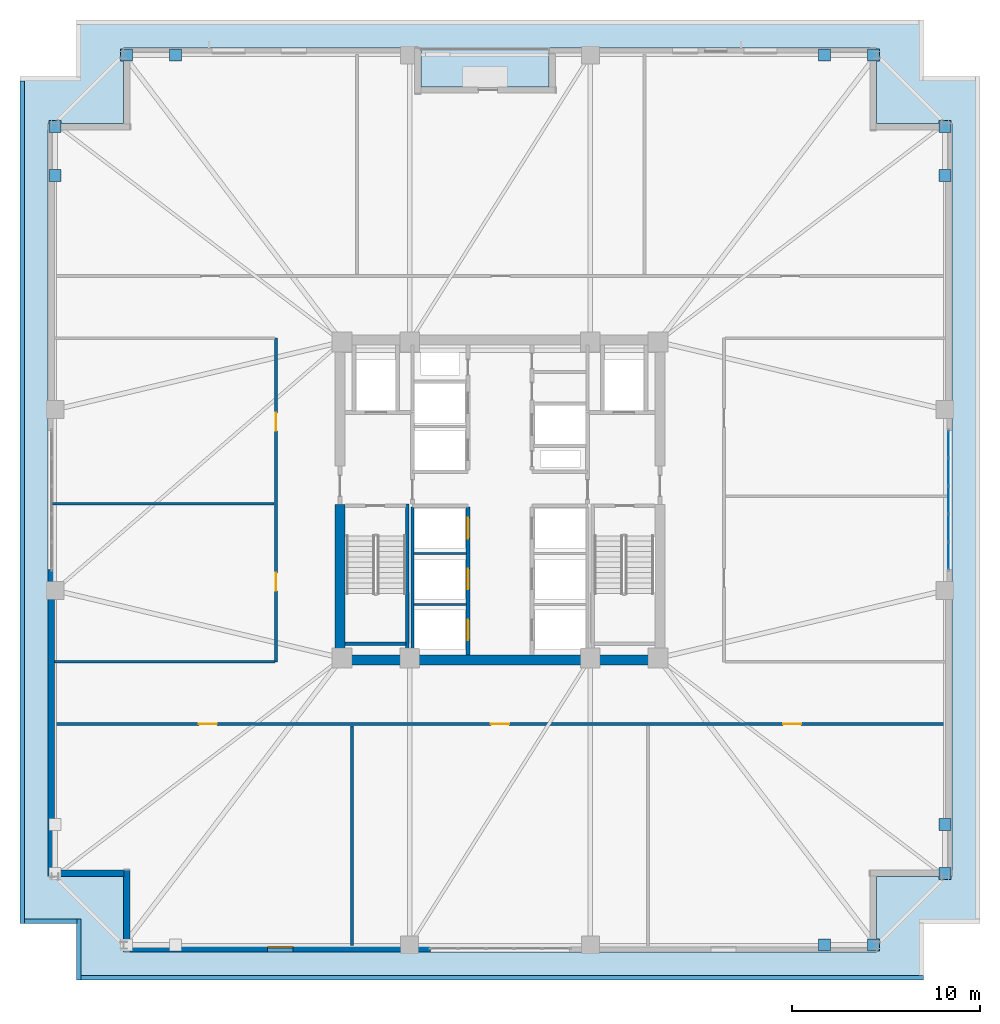
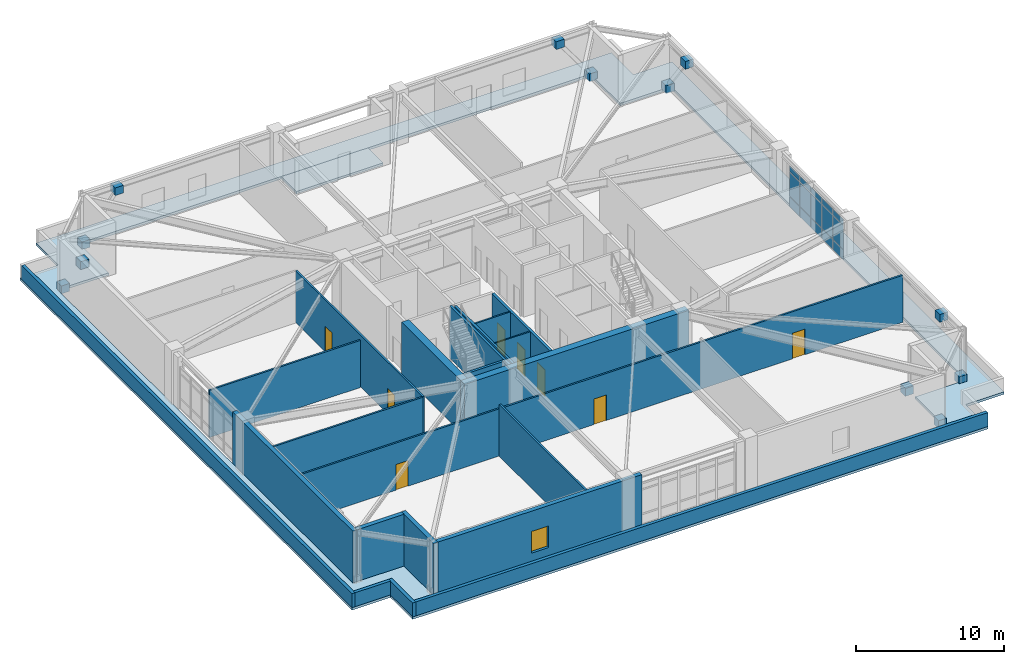
# One storey, part 6 of 13: 27 plates, 21 walls, 8 doors, 2 slabs, 1 window, 9 openings, 1 element without a shape of its own.
"""IFC4 building model written with IfcOpenShell, lengths in metres."""

from ifc_helpers import new_model, si_unit, direction, frame, frame_2d, origin, origin_2d, place, context, subcontext, project, spatial, polyline, rectangle, outline, extrude, material, layer, layer_set, type_object, element, fill, aggregate, save


model = new_model("IFC4")

# Units and contexts
model_context = context("Model", 3, precision=1e-05, world=origin(), true_north=direction((0.0, 1.0)))
body_context = subcontext(model_context, "Body", "Model", "MODEL_VIEW")
ifc_project = project(units=[si_unit("LENGTHUNIT", "METRE"), si_unit("AREAUNIT", "SQUARE_METRE"), si_unit("VOLUMEUNIT", "CUBIC_METRE"), si_unit("PLANEANGLEUNIT", "RADIAN"), si_unit("MASSUNIT", "GRAM", prefix="KILO")], contexts=[model_context])

# Site, building, storey
site_placement = place(None, origin())
site = spatial("IfcSite", under=ifc_project, at=site_placement, CompositionType="ELEMENT")
building_placement = place(site_placement, origin())
building = spatial("IfcBuilding", under=site, at=building_placement, Name="Cairnveth Concourse Tower", CompositionType="ELEMENT")
storey_placement = place(building_placement, frame((0.0, 0.0, 101.5)))
storey = spatial("IfcBuildingStorey", under=building, at=storey_placement, Name="L27", CompositionType="ELEMENT", Elevation=101.5)

# Curtain wall, plates
ifc_material_1 = material(Name="Architectural Bronze Anodised Aluminium 6063-T6", Category="aluminium")
ifc_layer_1 = layer(ifc_material_1, 0.320068359375)
ifc_layer_set_1 = layer_set([ifc_layer_1], Name="Architectural Bronze Anodised Aluminium 6063-T6")
curtain_wall_type = type_object("IfcCurtainWallType", Name="SKY LOBBY WINTERGARDEN CURTAIN WALL", PredefinedType="USERDEFINED", material=ifc_layer_set_1)
curtain_wall_placement = place(storey_placement, origin())
curtain_wall = element("IfcCurtainWall", 1, at=curtain_wall_placement, inside=storey, type_object=curtain_wall_type, Name="Curtain Wall CW-L27-F3", ObjectType="UNITISED FACADE", PredefinedType="USERDEFINED")
ifc_material_2 = material(Name="Double Glazed Low-E Clear Glass", Category="glass")
ifc_layer_2 = layer(ifc_material_2, 0.028076171875)
ifc_layer_set_2 = layer_set([ifc_layer_2], Name="Double Glazed Low-E Clear Glass")
plate_type_1 = type_object("IfcPlateType", Name="DOUBLE GLAZED LOW-E CURTAIN PANEL 28", PredefinedType="CURTAIN_PANEL", material=ifc_layer_set_2)
plate_1_placement = place(storey_placement, frame((75.830078125, 41.955810546875, 0.06494140625), z_axis=(0.0, 0.0, 1.0), x_axis=(0.0, -1.0, 0.0)))
plate_1 = element("IfcPlate", 2, at=plate_1_placement, type_object=plate_type_1, Name="CWS4 panel 1.1", PredefinedType="CURTAIN_PANEL", context=body_context, shape_type="SweptSolid", body=[
    extrude(rectangle(XDim=1.388427734375, YDim=0.028076171875, at=origin_2d()), origin(), (0.0, 0.0, 1.0), 0.802490234375),
])
plate_2_placement = place(storey_placement, frame((75.830078125, 41.955810546875, 0.9326171875), z_axis=(0.0, 0.0, 1.0), x_axis=(0.0, -1.0, 0.0)))
plate_2 = element("IfcPlate", 3, at=plate_2_placement, type_object=plate_type_1, Name="CWS4 panel 1.2", PredefinedType="CURTAIN_PANEL", context=body_context, shape_type="SweptSolid", body=[
    extrude(rectangle(XDim=1.388427734375, YDim=0.028076171875, at=origin_2d()), origin(), (0.0, 0.0, 1.0), 1.965087890625),
])
plate_3_placement = place(storey_placement, frame((75.830078125, 41.955810546875, 2.96240234375), z_axis=(0.0, 0.0, 1.0), x_axis=(0.0, -1.0, 0.0)))
plate_3 = element("IfcPlate", 4, at=plate_3_placement, type_object=plate_type_1, Name="CWS4 panel 1.3", PredefinedType="CURTAIN_PANEL", context=body_context, shape_type="SweptSolid", body=[
    extrude(rectangle(XDim=1.388427734375, YDim=0.028076171875, at=origin_2d()), origin(), (0.0, 0.0, 1.0), 0.452392578125),
])
plate_4_placement = place(storey_placement, frame((75.830078125, 40.486083984375, 0.06494140625), z_axis=(0.0, 0.0, 1.0), x_axis=(0.0, -1.0, 0.0)))
plate_4 = element("IfcPlate", 5, at=plate_4_placement, type_object=plate_type_1, Name="CWS4 panel 2.1", PredefinedType="CURTAIN_PANEL", context=body_context, shape_type="SweptSolid", body=[
    extrude(rectangle(XDim=1.4208984375, YDim=0.028076171875, at=origin_2d()), origin(), (0.0, 0.0, 1.0), 0.802490234375),
])
plate_5_placement = place(storey_placement, frame((75.830078125, 40.486083984375, 0.9326171875), z_axis=(0.0, 0.0, 1.0), x_axis=(0.0, -1.0, 0.0)))
plate_5 = element("IfcPlate", 6, at=plate_5_placement, type_object=plate_type_1, Name="CWS4 panel 2.2", PredefinedType="CURTAIN_PANEL", context=body_context, shape_type="SweptSolid", body=[
    extrude(rectangle(XDim=1.4208984375, YDim=0.028076171875, at=origin_2d()), origin(), (0.0, 0.0, 1.0), 1.965087890625),
])
plate_6_placement = place(storey_placement, frame((75.830078125, 40.486083984375, 2.96240234375), z_axis=(0.0, 0.0, 1.0), x_axis=(0.0, -1.0, 0.0)))
plate_6 = element("IfcPlate", 7, at=plate_6_placement, type_object=plate_type_1, Name="CWS4 panel 2.3", PredefinedType="CURTAIN_PANEL", context=body_context, shape_type="SweptSolid", body=[
    extrude(rectangle(XDim=1.4208984375, YDim=0.028076171875, at=origin_2d()), origin(), (0.0, 0.0, 1.0), 0.452392578125),
])
plate_7_placement = place(storey_placement, frame((75.830078125, 39.0, 0.06494140625), z_axis=(0.0, 0.0, 1.0), x_axis=(0.0, -1.0, 0.0)))
plate_7 = element("IfcPlate", 8, at=plate_7_placement, type_object=plate_type_1, Name="CWS4 panel 3.1", PredefinedType="CURTAIN_PANEL", context=body_context, shape_type="SweptSolid", body=[
    extrude(rectangle(XDim=1.4208984375, YDim=0.028076171875, at=origin_2d()), origin(), (0.0, 0.0, 1.0), 0.802490234375),
])
plate_8_placement = place(storey_placement, frame((75.830078125, 39.0, 0.9326171875), z_axis=(0.0, 0.0, 1.0), x_axis=(0.0, -1.0, 0.0)))
plate_8 = element("IfcPlate", 9, at=plate_8_placement, type_object=plate_type_1, Name="CWS4 panel 3.2", PredefinedType="CURTAIN_PANEL", context=body_context, shape_type="SweptSolid", body=[
    extrude(rectangle(XDim=1.4208984375, YDim=0.028076171875, at=origin_2d()), origin(), (0.0, 0.0, 1.0), 1.965087890625),
])
plate_9_placement = place(storey_placement, frame((75.830078125, 39.0, 2.96240234375), z_axis=(0.0, 0.0, 1.0), x_axis=(0.0, -1.0, 0.0)))
plate_9 = element("IfcPlate", 10, at=plate_9_placement, type_object=plate_type_1, Name="CWS4 panel 3.3", PredefinedType="CURTAIN_PANEL", context=body_context, shape_type="SweptSolid", body=[
    extrude(rectangle(XDim=1.4208984375, YDim=0.028076171875, at=origin_2d()), origin(), (0.0, 0.0, 1.0), 0.452392578125),
])
plate_10_placement = place(storey_placement, frame((75.830078125, 37.513916015625, 0.06494140625), z_axis=(0.0, 0.0, 1.0), x_axis=(0.0, -1.0, 0.0)))
plate_10 = element("IfcPlate", 11, at=plate_10_placement, type_object=plate_type_1, Name="CWS4 panel 4.1", PredefinedType="CURTAIN_PANEL", context=body_context, shape_type="SweptSolid", body=[
    extrude(rectangle(XDim=1.4208984375, YDim=0.028076171875, at=origin_2d()), origin(), (0.0, 0.0, 1.0), 0.802490234375),
])
plate_11_placement = place(storey_placement, frame((75.830078125, 37.513916015625, 0.9326171875), z_axis=(0.0, 0.0, 1.0), x_axis=(0.0, -1.0, 0.0)))
plate_11 = element("IfcPlate", 12, at=plate_11_placement, type_object=plate_type_1, Name="CWS4 panel 4.2", PredefinedType="CURTAIN_PANEL", context=body_context, shape_type="SweptSolid", body=[
    extrude(rectangle(XDim=1.4208984375, YDim=0.028076171875, at=origin_2d()), origin(), (0.0, 0.0, 1.0), 1.965087890625),
])
plate_12_placement = place(storey_placement, frame((75.830078125, 37.513916015625, 2.96240234375), z_axis=(0.0, 0.0, 1.0), x_axis=(0.0, -1.0, 0.0)))
plate_12 = element("IfcPlate", 13, at=plate_12_placement, type_object=plate_type_1, Name="CWS4 panel 4.3", PredefinedType="CURTAIN_PANEL", context=body_context, shape_type="SweptSolid", body=[
    extrude(rectangle(XDim=1.4208984375, YDim=0.028076171875, at=origin_2d()), origin(), (0.0, 0.0, 1.0), 0.452392578125),
])
plate_13_placement = place(storey_placement, frame((75.830078125, 36.044189453125, 0.06494140625), z_axis=(0.0, 0.0, 1.0), x_axis=(0.0, -1.0, 0.0)))
plate_13 = element("IfcPlate", 14, at=plate_13_placement, type_object=plate_type_1, Name="CWS4 panel 5.1", PredefinedType="CURTAIN_PANEL", context=body_context, shape_type="SweptSolid", body=[
    extrude(rectangle(XDim=1.388427734375, YDim=0.028076171875, at=origin_2d()), origin(), (0.0, 0.0, 1.0), 0.802490234375),
])
plate_14_placement = place(storey_placement, frame((75.830078125, 36.044189453125, 0.9326171875), z_axis=(0.0, 0.0, 1.0), x_axis=(0.0, -1.0, 0.0)))
plate_14 = element("IfcPlate", 15, at=plate_14_placement, type_object=plate_type_1, Name="CWS4 panel 5.2", PredefinedType="CURTAIN_PANEL", context=body_context, shape_type="SweptSolid", body=[
    extrude(rectangle(XDim=1.388427734375, YDim=0.028076171875, at=origin_2d()), origin(), (0.0, 0.0, 1.0), 1.965087890625),
])
plate_15_placement = place(storey_placement, frame((75.830078125, 36.044189453125, 2.96240234375), z_axis=(0.0, 0.0, 1.0), x_axis=(0.0, -1.0, 0.0)))
plate_15 = element("IfcPlate", 16, at=plate_15_placement, type_object=plate_type_1, Name="CWS4 panel 5.3", PredefinedType="CURTAIN_PANEL", context=body_context, shape_type="SweptSolid", body=[
    extrude(rectangle(XDim=1.388427734375, YDim=0.028076171875, at=origin_2d()), origin(), (0.0, 0.0, 1.0), 0.452392578125),
])
aggregate(curtain_wall, [plate_1, plate_2, plate_3, plate_4, plate_5, plate_6, plate_7, plate_8, plate_9, plate_10, plate_11, plate_12, plate_13, plate_14, plate_15])

# Plates
ifc_material_3 = material(Name="Steel Grade 350", Category="steel")
ifc_layer_3 = layer(ifc_material_3, 0.031982421875)
ifc_layer_set_3 = layer_set([ifc_layer_3], Name="Steel Grade 350")
plate_type_2 = type_object("IfcPlateType", Name="PERIMETER BRACE GUSSET PLATE 32", PredefinedType="USERDEFINED", material=ifc_layer_set_3)
for number, where, z_axis, x_axis, name in (
    (17, (71.85009765625, 15.35009765625, -0.06982421875), (0.0, 0.0, 1.0), (1.0, 0.0, 0.0), "Structural Node Plate 0467 L27"),
    (18, (69.25, 15.35009765625, 3.51025390625), (0.0, 0.0, 1.0), (1.0, 0.0, 0.0), "Structural Node Plate 0468 L27"),
    (19, (32.14990234375, 62.64990234375, -0.06982421875), (0.0, 0.0, 1.0), (1.0, 0.0, 0.0), "Structural Node Plate 0469 L27"),
    (20, (34.75, 62.64990234375, 3.51025390625), (0.0, 0.0, 1.0), (1.0, 0.0, 0.0), "Structural Node Plate 0470 L27"),
    (21, (71.85009765625, 62.64990234375, -0.06982421875), (0.0, 0.0, 1.0), (1.0, 0.0, 0.0), "Structural Node Plate 0471 L27"),
    (22, (69.25, 62.64990234375, 3.51025390625), (0.0, 0.0, 1.0), (1.0, 0.0, 0.0), "Structural Node Plate 0472 L27"),
    (23, (28.35009765625, 58.85009765625, -0.06982421875), (0.0, 0.0, 1.0), (1.0, 0.0, 0.0), "Structural Node Plate 0475 L27"),
    (24, (28.35009765625, 56.25, 3.51025390625), (0.0, 0.0, 1.0), (1.0, 0.0, 0.0), "Structural Node Plate 0476 L27"),
    (25, (75.64990234375, 19.14990234375, -0.06982421875), (0.0, 0.0, 1.0), (1.0, 0.0, 0.0), "Structural Node Plate 0477 L27"),
    (26, (75.64990234375, 21.75, 3.51025390625), (0.0, 0.0, 1.0), (1.0, 0.0, 0.0), "Structural Node Plate 0478 L27"),
    (27, (75.64990234375, 58.85009765625, -0.06982421875), (0.0, 0.0, 1.0), (1.0, 0.0, 0.0), "Structural Node Plate 0479 L27"),
    (28, (75.64990234375, 56.25, 3.51025390625), (0.0, 0.0, 1.0), (1.0, 0.0, 0.0), "Structural Node Plate 0480 L27"),
):
    element("IfcPlate", number, at=place(storey_placement, frame(where, z_axis=z_axis, x_axis=x_axis)), inside=storey, type_object=plate_type_2, Name=name, ObjectType="GUSSET PLATE", PredefinedType="USERDEFINED", context=body_context, shape_type="SweptSolid", body=[
        extrude(rectangle(XDim=0.639892578125, YDim=0.639892578125, at=origin_2d()), origin(), (0.0, 0.0, 1.0), 0.639892578125),
    ])

# Slabs
ifc_material_4 = material(Name="Concrete N50 (50 MPa)", Category="concrete")
ifc_layer_4 = layer(ifc_material_4, 0.205078125)
ifc_layer_set_4 = layer_set([ifc_layer_4], Name="Concrete N50 (50 MPa)")
slab_type_1 = type_object("IfcSlabType", Name="SETBACK MAINTENANCE ROOF SLAB 205", PredefinedType="ROOF", material=ifc_layer_set_4)
slab_1_placement = place(storey_placement, frame((0.0, 0.0, -0.205078125)))
element("IfcSlab", 29, at=slab_1_placement, inside=storey, type_object=slab_type_1, Name="Setback Maintenance Roof Slab L27", PredefinedType="ROOF", context=body_context, shape_type="SweptSolid", body=[
    extrude(outline(polyline([(29.5, 13.5), (74.5, 13.5), (74.5, 16.5), (77.5, 16.5), (77.5, 61.5), (74.5, 61.5), (74.5, 64.5), (29.5, 64.5), (29.5, 61.5), (26.5, 61.5), (26.5, 16.5), (29.5, 16.5), (29.5, 13.5)]), holes=[polyline([(32.0, 15.0), (72.0, 15.0), (72.0, 19.0), (76.0, 19.0), (76.0, 59.0), (72.0, 59.0), (72.0, 63.0), (32.0, 63.0), (32.0, 59.0), (28.0, 59.0), (28.0, 19.0), (32.0, 19.0), (32.0, 15.0)])]), origin(), (0.0, 0.0, 1.0), 0.205078125),
])
ifc_layer_5 = layer(ifc_material_4, 0.18994140625)
ifc_layer_set_5 = layer_set([ifc_layer_5], Name="Concrete N50 (50 MPa)")
slab_type_2 = type_object("IfcSlabType", Name="SPIRAL OUTDOOR TERRACE SLAB 190", PredefinedType="FLOOR", material=ifc_layer_set_5)
slab_2_placement = place(storey_placement, frame((0.0, 0.0, -0.18994140625)))
element("IfcSlab", 30, at=slab_2_placement, inside=storey, type_object=slab_type_2, Name="Spiral Terrace Slab L27", PredefinedType="FLOOR", context=body_context, shape_type="SweptSolid", body=[
    extrude(outline(polyline([(47.800048828125, 60.949951171875), (54.60009765625, 60.949951171875), (54.60009765625, 63.0), (47.800048828125, 63.0), (47.800048828125, 60.949951171875)])), origin(), (0.0, 0.0, 1.0), 0.18994140625),
])

# Walls
ifc_material_5 = material(Name="Concrete N80 (80 MPa)", Category="concrete")
ifc_layer_6 = layer(ifc_material_5, 0.550048828125)
ifc_layer_set_6 = layer_set([ifc_layer_6], Name="Concrete N80 (80 MPa)")
wall_type_1 = type_object("IfcWallType", Name="CORE SHEAR WALL 550", PredefinedType="SHEAR", material=ifc_layer_set_6)
wall_1_placement = place(storey_placement, frame((43.22509765625, 30.5, 0.0), z_axis=(0.0, 0.0, 1.0), x_axis=(1.0, 0.0, 0.0)))
element("IfcWall", 31, at=wall_1_placement, inside=storey, type_object=wall_type_1, Name="Core South Shear Wall L27", PredefinedType="SHEAR", context=body_context, shape_type="SweptSolid", body=[
    extrude(rectangle(XDim=17.5498046875, YDim=0.550048828125, at=frame_2d((8.77490234375, 0.0))), origin(), (0.0, 0.0, 1.0), 4.280029296875),
])
wall_2_placement = place(storey_placement, frame((43.5, 30.764892578125, 0.0), z_axis=(0.0, 0.0, 1.0), x_axis=(0.0, 1.0, 0.0)))
element("IfcWall", 32, at=wall_2_placement, inside=storey, type_object=wall_type_1, Name="Core West Shear Wall S L27", PredefinedType="SHEAR", context=body_context, shape_type="SweptSolid", body=[
    extrude(rectangle(XDim=7.985107421875, YDim=0.550048828125, at=frame_2d((3.99267578125, 0.0))), origin(), (0.0, 0.0, 1.0), 4.280029296875),
])
ifc_layer_7 = layer(ifc_material_4, 0.179931640625)
ifc_layer_set_7 = layer_set([ifc_layer_7], Name="Concrete N50 (50 MPa)")
wall_type_2 = type_object("IfcWallType", Name="FIRE SHAFT WALL 180", PredefinedType="SOLIDWALL", material=ifc_layer_set_7)
wall_3_placement = place(storey_placement, frame((47.35009765625, 30.760009765625, 0.0), z_axis=(0.0, 0.0, 1.0), x_axis=(0.0, 1.0, 0.0)))
element("IfcWall", 33, at=wall_3_placement, inside=storey, type_object=wall_type_2, Name="Interior Wall IW-L27-025", PredefinedType="SOLIDWALL", context=body_context, shape_type="SweptSolid", body=[
    extrude(rectangle(XDim=7.85498046875, YDim=0.179931640625, at=frame_2d((3.927490234375, 0.0))), origin(), (0.0, 0.0, 1.0), 4.280029296875),
])
wall_4_placement = place(storey_placement, frame((43.764892578125, 31.360107421875, 0.0), z_axis=(0.0, 0.0, 1.0), x_axis=(1.0, 0.0, 0.0)))
element("IfcWall", 34, at=wall_4_placement, inside=storey, type_object=wall_type_2, Name="Stair ST-1 Shaft Wall FAR L27", PredefinedType="SOLIDWALL", context=body_context, shape_type="SweptSolid", body=[
    extrude(rectangle(XDim=3.230224609375, YDim=0.179931640625, at=frame_2d((1.615234375, 0.0))), origin(), (0.0, 0.0, 1.0), 4.280029296875),
])
wall_5_placement = place(storey_placement, frame((47.070068359375, 38.780029296875, 0.0), z_axis=(0.0, 0.0, 1.0), x_axis=(0.0, -1.0, 0.0)))
element("IfcWall", 35, at=wall_5_placement, inside=storey, type_object=wall_type_2, Name="Stair ST-1 Shaft Wall RGHT L27", PredefinedType="SOLIDWALL", context=body_context, shape_type="SweptSolid", body=[
    extrude(rectangle(XDim=8.01708984375, YDim=0.179931640625, at=frame_2d((4.008544921875, 0.0))), origin(), (0.0, 0.0, 1.0), 4.280029296875),
])

# Wall, openings, doors
ifc_layer_8 = layer(ifc_material_4, 0.199951171875)
ifc_layer_set_8 = layer_set([ifc_layer_8], Name="Concrete N50 (50 MPa)")
wall_type_3 = type_object("IfcWallType", Name="FIRE SHAFT WALL 200", PredefinedType="SOLIDWALL", material=ifc_layer_set_8)
wall_6_placement = place(storey_placement, frame((50.300048828125, 30.760009765625, 0.0), z_axis=(0.0, 0.0, 1.0), x_axis=(0.0, 1.0, 0.0)))
wall_6 = element("IfcWall", 36, at=wall_6_placement, inside=storey, type_object=wall_type_3, Name="Interior Wall IW-L27-011", PredefinedType="SOLIDWALL", context=body_context, shape_type="SweptSolid", body=[
    extrude(rectangle(XDim=7.85498046875, YDim=0.199951171875, at=frame_2d((3.927490234375, 0.0))), origin(), (0.0, 0.0, 1.0), 4.280029296875),
])
opening_1_placement = place(wall_6_placement, frame((0.7900390625, 0.0, 0.0)))
opening_1 = element("IfcOpeningElement", 37, at=opening_1_placement, cuts=wall_6, Name="Opening LD-1", PredefinedType="OPENING", context=body_context, shape_type="SweptSolid", body=[
    extrude(rectangle(XDim=1.10009765625, YDim=2.199951171875, at=frame_2d((0.550048828125, 1.10009765625))), frame((0.0, 0.10986328125, 0.0), z_axis=(0.0, -1.0, 0.0), x_axis=(1.0, 0.0, 0.0)), (0.0, 0.0, 1.0), 0.219970703125),
])
opening_2_placement = place(wall_6_placement, frame((3.489990234375, 0.0, 0.0)))
opening_2 = element("IfcOpeningElement", 38, at=opening_2_placement, cuts=wall_6, Name="Opening LD-1", PredefinedType="OPENING", context=body_context, shape_type="SweptSolid", body=[
    extrude(rectangle(XDim=1.10009765625, YDim=2.199951171875, at=frame_2d((0.550048828125, 1.10009765625))), frame((0.0, 0.10986328125, 0.0), z_axis=(0.0, -1.0, 0.0), x_axis=(1.0, 0.0, 0.0)), (0.0, 0.0, 1.0), 0.219970703125),
])
opening_3_placement = place(wall_6_placement, frame((6.18994140625, 0.0, 0.0)))
opening_3 = element("IfcOpeningElement", 39, at=opening_3_placement, cuts=wall_6, Name="Opening LD-1", PredefinedType="OPENING", context=body_context, shape_type="SweptSolid", body=[
    extrude(rectangle(XDim=1.10009765625, YDim=2.199951171875, at=frame_2d((0.550048828125, 1.10009765625))), frame((0.0, 0.10986328125, 0.0), z_axis=(0.0, -1.0, 0.0), x_axis=(1.0, 0.0, 0.0)), (0.0, 0.0, 1.0), 0.219970703125),
])
door_type_1 = type_object("IfcDoorType", Name="LIFT LANDING DOOR 1100X2200", OperationType="SLIDING_TO_LEFT", PredefinedType="DOOR", material=ifc_material_1)
door_1_placement = place(opening_1_placement, origin())
door_1 = element("IfcDoor", 40, at=door_1_placement, inside=storey, type_object=door_type_1, Name="Lift PL1 Landing Door L27", OperationType="SLIDING_TO_LEFT", OverallHeight=2.199951171875, OverallWidth=1.10009765625, PredefinedType="DOOR", context=body_context, shape_type="SweptSolid", body=[
    extrude(rectangle(XDim=1.10009765625, YDim=2.199951171875, at=frame_2d((0.550048828125, 1.10009765625))), frame((0.0, 0.02490234375, 0.0), z_axis=(0.0, -1.0, 0.0), x_axis=(1.0, 0.0, 0.0)), (0.0, 0.0, 1.0), 0.050048828125),
])
fill(opening_1, door_1)
door_2_placement = place(opening_2_placement, origin())
door_2 = element("IfcDoor", 41, at=door_2_placement, inside=storey, type_object=door_type_1, Name="Lift PL2 Landing Door L27", OperationType="SLIDING_TO_LEFT", OverallHeight=2.199951171875, OverallWidth=1.10009765625, PredefinedType="DOOR", context=body_context, shape_type="SweptSolid", body=[
    extrude(rectangle(XDim=1.10009765625, YDim=2.199951171875, at=frame_2d((0.550048828125, 1.10009765625))), frame((0.0, 0.02490234375, 0.0), z_axis=(0.0, -1.0, 0.0), x_axis=(1.0, 0.0, 0.0)), (0.0, 0.0, 1.0), 0.050048828125),
])
fill(opening_2, door_2)
door_3_placement = place(opening_3_placement, origin())
door_3 = element("IfcDoor", 42, at=door_3_placement, inside=storey, type_object=door_type_1, Name="Lift PL3 Landing Door L27", OperationType="SLIDING_TO_LEFT", OverallHeight=2.199951171875, OverallWidth=1.10009765625, PredefinedType="DOOR", context=body_context, shape_type="SweptSolid", body=[
    extrude(rectangle(XDim=1.10009765625, YDim=2.199951171875, at=frame_2d((0.550048828125, 1.10009765625))), frame((0.0, 0.02490234375, 0.0), z_axis=(0.0, -1.0, 0.0), x_axis=(1.0, 0.0, 0.0)), (0.0, 0.0, 1.0), 0.050048828125),
])
fill(opening_3, door_3)

ifc_material_6 = material(Name="Gypsum Plasterboard Partition", Category="gypsum")
ifc_layer_9 = layer(ifc_material_6, 0.139892578125)
ifc_layer_set_9 = layer_set([ifc_layer_9], Name="Gypsum Plasterboard Partition")
wall_type_4 = type_object("IfcWallType", Name="GYPSUM STUD PARTITION 140", PredefinedType="PARTITIONING", material=ifc_layer_set_9)
wall_7_placement = place(storey_placement, frame((28.324951171875, 27.10009765625, 0.0), z_axis=(0.0, 0.0, 1.0), x_axis=(1.0, 0.0, 0.0)))
wall_7 = element("IfcWall", 43, at=wall_7_placement, inside=storey, type_object=wall_type_4, Name="Interior Wall IW-L27-038", PredefinedType="PARTITIONING", context=body_context, shape_type="SweptSolid", body=[
    extrude(rectangle(XDim=47.35009765625, YDim=0.139892578125, at=frame_2d((23.675048828125, 0.0))), origin(), (0.0, 0.0, 1.0), 3.89599609375),
])
opening_4_placement = place(wall_7_placement, frame((7.675048828125, 0.0, 0.0)))
opening_4 = element("IfcOpeningElement", 44, at=opening_4_placement, cuts=wall_7, Name="Opening ID11", PredefinedType="OPENING", context=body_context, shape_type="SweptSolid", body=[
    extrude(rectangle(XDim=0.9599609375, YDim=2.1201171875, at=frame_2d((0.47998046875, 1.06005859375))), frame((0.0, 0.079833984375, 0.0), z_axis=(0.0, -1.0, 0.0), x_axis=(1.0, 0.0, 0.0)), (0.0, 0.0, 1.0), 0.159912109375),
])
opening_5_placement = place(wall_7_placement, frame((23.195068359375, 0.0, 0.0)))
opening_5 = element("IfcOpeningElement", 45, at=opening_5_placement, cuts=wall_7, Name="Opening ID11", PredefinedType="OPENING", context=body_context, shape_type="SweptSolid", body=[
    extrude(rectangle(XDim=0.9599609375, YDim=2.1201171875, at=frame_2d((0.47998046875, 1.06005859375))), frame((0.0, 0.079833984375, 0.0), z_axis=(0.0, -1.0, 0.0), x_axis=(1.0, 0.0, 0.0)), (0.0, 0.0, 1.0), 0.159912109375),
])
opening_6_placement = place(wall_7_placement, frame((38.715087890625, 0.0, 0.0)))
opening_6 = element("IfcOpeningElement", 46, at=opening_6_placement, cuts=wall_7, Name="Opening ID11", PredefinedType="OPENING", context=body_context, shape_type="SweptSolid", body=[
    extrude(rectangle(XDim=0.9599609375, YDim=2.1201171875, at=frame_2d((0.47998046875, 1.06005859375))), frame((0.0, 0.079833984375, 0.0), z_axis=(0.0, -1.0, 0.0), x_axis=(1.0, 0.0, 0.0)), (0.0, 0.0, 1.0), 0.159912109375),
])
ifc_material_7 = material(Name="Solid Core Hardwood Timber Leaf", Category="wood")
door_type_2 = type_object("IfcDoorType", Name="INTERIOR SINGLE DOOR 960X2150", OperationType="NOTDEFINED", PredefinedType="DOOR", material=ifc_material_7)
door_4_placement = place(opening_4_placement, origin())
door_4 = element("IfcDoor", 47, at=door_4_placement, inside=storey, type_object=door_type_2, Name="Office Door L27-S1", OperationType="SINGLE_SWING_RIGHT", OverallHeight=2.1201171875, OverallWidth=0.9599609375, PredefinedType="DOOR", context=body_context, shape_type="SweptSolid", body=[
    extrude(rectangle(XDim=0.9599609375, YDim=2.1201171875, at=frame_2d((0.47998046875, 1.06005859375))), frame((0.0, 0.02490234375, 0.0), z_axis=(0.0, -1.0, 0.0), x_axis=(1.0, 0.0, 0.0)), (0.0, 0.0, 1.0), 0.050048828125),
])
fill(opening_4, door_4)
door_5_placement = place(opening_5_placement, origin())
door_5 = element("IfcDoor", 48, at=door_5_placement, inside=storey, type_object=door_type_2, Name="Office Door L27-S2", OperationType="SINGLE_SWING_LEFT", OverallHeight=2.1201171875, OverallWidth=0.9599609375, PredefinedType="DOOR", context=body_context, shape_type="SweptSolid", body=[
    extrude(rectangle(XDim=0.9599609375, YDim=2.1201171875, at=frame_2d((0.47998046875, 1.06005859375))), frame((0.0, 0.02490234375, 0.0), z_axis=(0.0, -1.0, 0.0), x_axis=(1.0, 0.0, 0.0)), (0.0, 0.0, 1.0), 0.050048828125),
])
fill(opening_5, door_5)
door_6_placement = place(opening_6_placement, origin())
door_6 = element("IfcDoor", 49, at=door_6_placement, inside=storey, type_object=door_type_2, Name="Office Door L27-S3", OperationType="SINGLE_SWING_RIGHT", OverallHeight=2.1201171875, OverallWidth=0.9599609375, PredefinedType="DOOR", context=body_context, shape_type="SweptSolid", body=[
    extrude(rectangle(XDim=0.9599609375, YDim=2.1201171875, at=frame_2d((0.47998046875, 1.06005859375))), frame((0.0, 0.02490234375, 0.0), z_axis=(0.0, -1.0, 0.0), x_axis=(1.0, 0.0, 0.0)), (0.0, 0.0, 1.0), 0.050048828125),
])
fill(opening_6, door_6)

wall_8_placement = place(storey_placement, frame((40.10009765625, 30.39990234375, 0.0), z_axis=(0.0, 0.0, 1.0), x_axis=(0.0, 1.0, 0.0)))
wall_8 = element("IfcWall", 50, at=wall_8_placement, inside=storey, type_object=wall_type_4, Name="Interior Wall IW-L27-040", PredefinedType="PARTITIONING", context=body_context, shape_type="SweptSolid", body=[
    extrude(rectangle(XDim=17.2001953125, YDim=0.139892578125, at=frame_2d((8.60009765625, 0.0))), origin(), (0.0, 0.0, 1.0), 4.280029296875),
])
opening_7_placement = place(wall_8_placement, frame((3.7724609375, 0.0, 0.0)))
opening_7 = element("IfcOpeningElement", 51, at=opening_7_placement, cuts=wall_8, Name="Opening ID11", PredefinedType="OPENING", context=body_context, shape_type="SweptSolid", body=[
    extrude(rectangle(XDim=0.9599609375, YDim=2.1201171875, at=frame_2d((0.47998046875, 1.06005859375))), frame((0.0, 0.079833984375, 0.0), z_axis=(0.0, -1.0, 0.0), x_axis=(1.0, 0.0, 0.0)), (0.0, 0.0, 1.0), 0.159912109375),
])
opening_8_placement = place(wall_8_placement, frame((12.2724609375, 0.0, 0.0)))
opening_8 = element("IfcOpeningElement", 52, at=opening_8_placement, cuts=wall_8, Name="Opening ID11", PredefinedType="OPENING", context=body_context, shape_type="SweptSolid", body=[
    extrude(rectangle(XDim=0.9599609375, YDim=2.1201171875, at=frame_2d((0.47998046875, 1.06005859375))), frame((0.0, 0.079833984375, 0.0), z_axis=(0.0, -1.0, 0.0), x_axis=(1.0, 0.0, 0.0)), (0.0, 0.0, 1.0), 0.159912109375),
])
door_7_placement = place(opening_7_placement, origin())
door_7 = element("IfcDoor", 53, at=door_7_placement, inside=storey, type_object=door_type_2, Name="Office Door L27-W1", OperationType="SINGLE_SWING_RIGHT", OverallHeight=2.1201171875, OverallWidth=0.9599609375, PredefinedType="DOOR", context=body_context, shape_type="SweptSolid", body=[
    extrude(rectangle(XDim=0.9599609375, YDim=2.1201171875, at=frame_2d((0.47998046875, 1.06005859375))), frame((0.0, 0.02490234375, 0.0), z_axis=(0.0, -1.0, 0.0), x_axis=(1.0, 0.0, 0.0)), (0.0, 0.0, 1.0), 0.050048828125),
])
fill(opening_7, door_7)
door_8_placement = place(opening_8_placement, origin())
door_8 = element("IfcDoor", 54, at=door_8_placement, inside=storey, type_object=door_type_2, Name="Office Door L27-W2", OperationType="SINGLE_SWING_LEFT", OverallHeight=2.1201171875, OverallWidth=0.9599609375, PredefinedType="DOOR", context=body_context, shape_type="SweptSolid", body=[
    extrude(rectangle(XDim=0.9599609375, YDim=2.1201171875, at=frame_2d((0.47998046875, 1.06005859375))), frame((0.0, 0.02490234375, 0.0), z_axis=(0.0, -1.0, 0.0), x_axis=(1.0, 0.0, 0.0)), (0.0, 0.0, 1.0), 0.050048828125),
])
fill(opening_8, door_8)

# Walls
wall_9_placement = place(storey_placement, frame((28.324951171875, 30.39990234375, 0.0), z_axis=(0.0, 0.0, 1.0), x_axis=(1.0, 0.0, 0.0)))
element("IfcWall", 55, at=wall_9_placement, inside=storey, type_object=wall_type_4, Name="Interior Wall IW-L27-042", PredefinedType="PARTITIONING", context=body_context, shape_type="SweptSolid", body=[
    extrude(rectangle(XDim=11.719970703125, YDim=0.139892578125, at=frame_2d((5.85986328125, 0.0))), origin(), (0.0, 0.0, 1.0), 4.280029296875),
])
wall_10_placement = place(storey_placement, frame((44.139892578125, 15.324951171875, 0.0), z_axis=(0.0, 0.0, 1.0), x_axis=(0.0, 1.0, 0.0)))
element("IfcWall", 56, at=wall_10_placement, inside=storey, type_object=wall_type_4, Name="Interior Wall IW-L27-046", PredefinedType="PARTITIONING", context=body_context, shape_type="SweptSolid", body=[
    extrude(rectangle(XDim=11.675048828125, YDim=0.139892578125, at=frame_2d((5.83740234375, 0.0))), origin(), (0.0, 0.0, 1.0), 4.280029296875),
])
wall_11_placement = place(storey_placement, frame((28.169921875, 38.804931640625, 0.0), z_axis=(0.0, 0.0, 1.0), x_axis=(1.0, 0.0, 0.0)))
element("IfcWall", 57, at=wall_11_placement, inside=storey, type_object=wall_type_4, Name="Interior Wall IW-L27-050", PredefinedType="PARTITIONING", context=body_context, shape_type="SweptSolid", body=[
    extrude(rectangle(XDim=11.830078125, YDim=0.139892578125, at=frame_2d((5.9150390625, 0.0))), origin(), (0.0, 0.0, 1.0), 3.89599609375),
])
ifc_material_8 = material(Name="Hawthorn Red-Ochre Fired Clay Brick Masonry", Category="masonry")
ifc_layer_10 = layer(ifc_material_8, 0.25)
ifc_layer_set_10 = layer_set([ifc_layer_10], Name="Hawthorn Red-Ochre Fired Clay Brick Masonry")
wall_type_5 = type_object("IfcWallType", Name="ROOF MASONRY PARAPET WALL 250", PredefinedType="PARAPET", material=ifc_layer_set_10)
wall_12_placement = place(storey_placement, frame((29.625, 13.5, 0.0), z_axis=(0.0, 0.0, 1.0), x_axis=(0.0, 1.0, 0.0)))
element("IfcWall", 58, at=wall_12_placement, inside=storey, type_object=wall_type_5, Name="Exterior Wall EP-L27-SB00", PredefinedType="PARAPET", context=body_context, shape_type="SweptSolid", body=[
    extrude(rectangle(XDim=3.25, YDim=0.25, at=frame_2d((1.625, 0.0))), origin(), (0.0, 0.0, 1.0), 1.14990234375),
])
wall_13_placement = place(storey_placement, frame((29.52197265625, 16.625, 0.0), z_axis=(0.0, 0.0, 1.0), x_axis=(-1.0, 0.0, 0.0)))
element("IfcWall", 59, at=wall_13_placement, inside=storey, type_object=wall_type_5, Name="Exterior Wall EP-L27-SB01", PredefinedType="PARAPET", context=body_context, shape_type="SweptSolid", body=[
    extrude(rectangle(XDim=2.7939453125, YDim=0.25, at=frame_2d((1.39697265625, 0.0))), origin(), (0.0, 0.0, 1.0), 1.14990234375),
])
for number, where, z_axis, x_axis, name in (
    (60, (26.625, 16.5, 0.0), (0.0, 0.0, 1.0), (0.0, 1.0, 0.0), "Exterior Wall EP-L27-SB02"),
    (61, (74.5, 13.625, 0.0), (0.0, 0.0, 1.0), (-1.0, 0.0, 0.0), "Exterior Wall EP-L27-SB11"),
):
    element("IfcWall", number, at=place(storey_placement, frame(where, z_axis=z_axis, x_axis=x_axis)), inside=storey, type_object=wall_type_5, Name=name, PredefinedType="PARAPET", context=body_context, shape_type="SweptSolid", body=[
        extrude(rectangle(XDim=44.77197265625, YDim=0.25, at=frame_2d((22.385986328125, 0.0))), origin(), (0.0, 0.0, 1.0), 1.14990234375),
    ])
ifc_layer_11 = layer(ifc_material_6, 0.110107421875)
ifc_layer_set_11 = layer_set([ifc_layer_11], Name="Gypsum Plasterboard Partition")
wall_type_6 = type_object("IfcWallType", Name="SHAFT DIVIDER WALL 140", PredefinedType="PARTITIONING", material=ifc_layer_set_11)
for number, where, z_axis, x_axis, name in (
    (62, (47.425048828125, 33.449951171875, 0.0), (0.0, 0.0, 1.0), (1.0, 0.0, 0.0), "Interior Wall IW-L27-026"),
    (63, (47.425048828125, 36.14990234375, 0.0), (0.0, 0.0, 1.0), (1.0, 0.0, 0.0), "Interior Wall IW-L27-027"),
):
    element("IfcWall", number, at=place(storey_placement, frame(where, z_axis=z_axis, x_axis=x_axis)), inside=storey, type_object=wall_type_6, Name=name, PredefinedType="PARTITIONING", context=body_context, shape_type="SweptSolid", body=[
        extrude(rectangle(XDim=2.7900390625, YDim=0.110107421875, at=frame_2d((1.39501953125, 0.0))), origin(), (0.0, 0.0, 1.0), 4.280029296875),
    ])

# Wall, opening, window
ifc_layer_12 = layer(ifc_material_8, 0.340087890625)
ifc_layer_set_12 = layer_set([ifc_layer_12], Name="Hawthorn Red-Ochre Fired Clay Brick Masonry")
wall_type_7 = type_object("IfcWallType", Name="ZONE 2 BRICK PIER SPANDREL WALL 340", PredefinedType="SOLIDWALL", material=ifc_layer_set_12)
wall_14_placement = place(storey_placement, frame((48.300048828125, 15.169921875, 0.0), z_axis=(0.0, 0.0, 1.0), x_axis=(-1.0, 0.0, 0.0)))
wall_14 = element("IfcWall", 64, at=wall_14_placement, inside=storey, type_object=wall_type_7, Name="Exterior Wall EW-L27-S6B", PredefinedType="SOLIDWALL", context=body_context, shape_type="SweptSolid", body=[
    extrude(rectangle(XDim=15.98193359375, YDim=0.340087890625, at=frame_2d((7.990966796875, 0.0))), origin(), (0.0, 0.0, 1.0), 4.280029296875),
])
opening_9_placement = place(wall_14_placement, frame((7.291015625, 0.0, 0.800048828125)))
opening_9 = element("IfcOpeningElement", 65, at=opening_9_placement, cuts=wall_14, Name="Opening W02", PredefinedType="OPENING", context=body_context, shape_type="SweptSolid", body=[
    extrude(rectangle(XDim=1.35009765625, YDim=1.800048828125, at=frame_2d((0.675048828125, 0.89990234375))), frame((0.0, 0.179931640625, 0.0), z_axis=(0.0, -1.0, 0.0), x_axis=(1.0, 0.0, 0.0)), (0.0, 0.0, 1.0), 0.360107421875),
])
window_type = type_object("IfcWindowType", Name="DEEP-SET GOTHIC LANCET WINDOW 1350X1800", PartitioningType="DOUBLE_PANEL_VERTICAL", PredefinedType="WINDOW", material=ifc_material_2)
window_placement = place(opening_9_placement, origin())
window = element("IfcWindow", 66, at=window_placement, inside=storey, type_object=window_type, Name="WIN-L27-S6-B", OverallHeight=1.800048828125, OverallWidth=1.35009765625, PartitioningType="SINGLE_PANEL", PredefinedType="WINDOW", context=body_context, shape_type="SweptSolid", body=[
    extrude(rectangle(XDim=1.35009765625, YDim=1.800048828125, at=frame_2d((0.675048828125, 0.89990234375))), frame((0.0, -0.0400390625, 0.0), z_axis=(0.0, -1.0, 0.0), x_axis=(1.0, 0.0, 0.0)), (0.0, 0.0, 1.0), 0.06005859375),
])
fill(opening_9, window)

# Walls
wall_15_placement = place(storey_placement, frame((32.169921875, 15.0, 0.0), z_axis=(0.0, 0.0, 1.0), x_axis=(0.0, 1.0, 0.0)))
element("IfcWall", 67, at=wall_15_placement, inside=storey, type_object=wall_type_7, Name="Exterior Wall EW-L27-S07", PredefinedType="SOLIDWALL", context=body_context, shape_type="SweptSolid", body=[
    extrude(rectangle(XDim=4.340087890625, YDim=0.340087890625, at=frame_2d((2.169921875, 0.0))), origin(), (0.0, 0.0, 1.0), 4.280029296875),
])
wall_16_placement = place(storey_placement, frame((32.02197265625, 19.169921875, 0.0), z_axis=(0.0, 0.0, 1.0), x_axis=(-1.0, 0.0, 0.0)))
element("IfcWall", 68, at=wall_16_placement, inside=storey, type_object=wall_type_7, Name="Exterior Wall EW-L27-S08", PredefinedType="SOLIDWALL", context=body_context, shape_type="SweptSolid", body=[
    extrude(rectangle(XDim=3.703857421875, YDim=0.340087890625, at=frame_2d((1.85205078125, 0.0))), origin(), (0.0, 0.0, 1.0), 4.280029296875),
])
wall_17_placement = place(storey_placement, frame((28.169921875, 19.0, 0.0), z_axis=(0.0, 0.0, 1.0), x_axis=(0.0, 1.0, 0.0)))
element("IfcWall", 69, at=wall_17_placement, inside=storey, type_object=wall_type_7, Name="Exterior Wall EW-L27-S9A", PredefinedType="SOLIDWALL", context=body_context, shape_type="SweptSolid", body=[
    extrude(rectangle(XDim=16.300048828125, YDim=0.340087890625, at=frame_2d((8.14990234375, 0.0))), origin(), (0.0, 0.0, 1.0), 4.280029296875),
])

save(model, "model.ifc")
